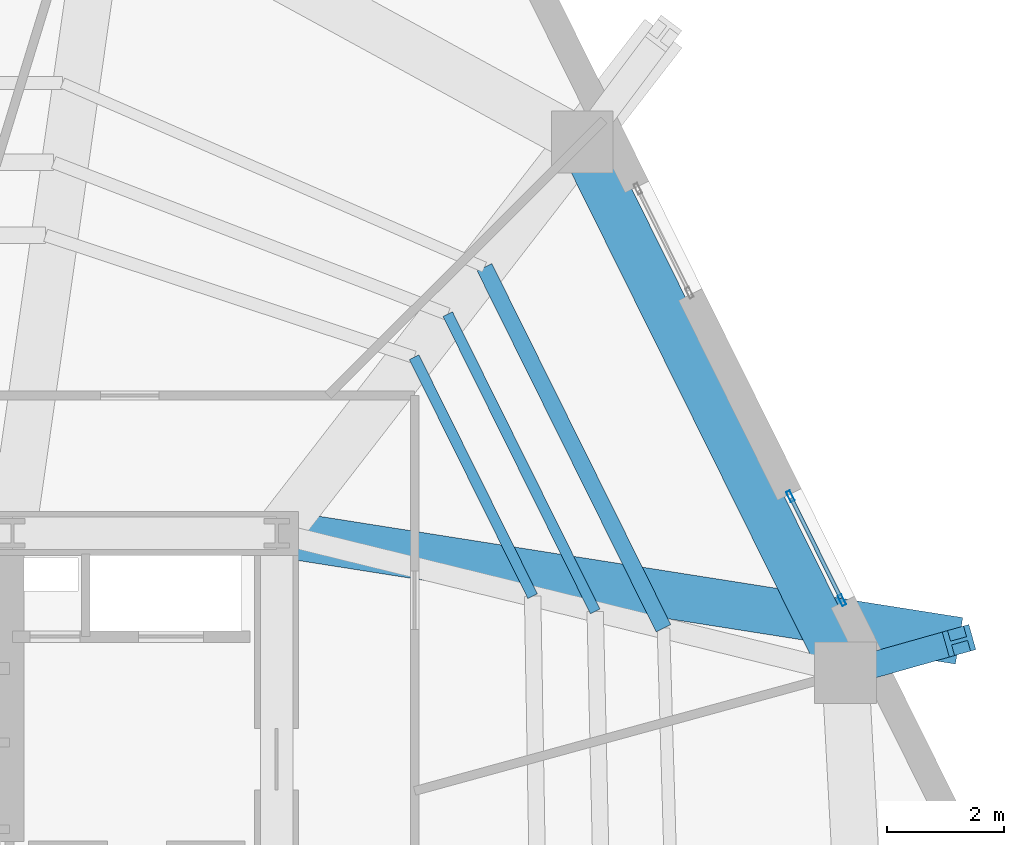
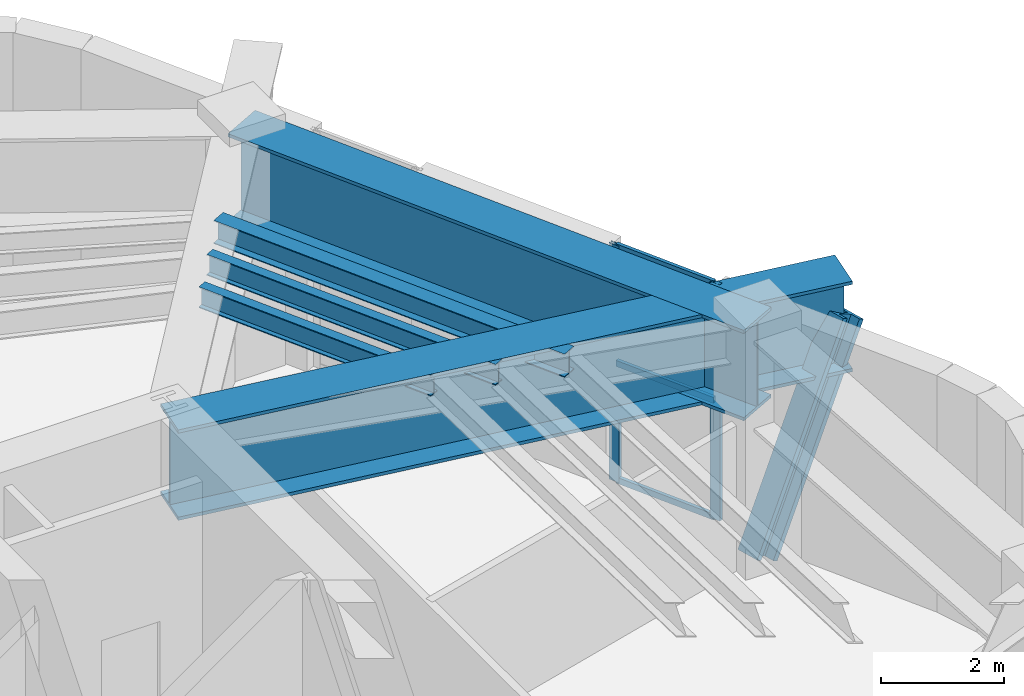
# One storey, part 8 of 18: 6 members, 5 beams, 1 element without a shape of its own.
"""IFC4 building model written with IfcOpenShell, lengths in metres."""

from ifc_helpers import new_model, si_unit, direction, frame, origin, origin_2d, place, context, subcontext, project, spatial, hollow_rectangle, i_section, extrude, material, layer, layer_set, material_profile, profile_set, type_object, element, aggregate, save


model = new_model("IFC4")

# Units and contexts
model_context = context("Model", 3, precision=1e-05, world=origin(), true_north=direction((0.0, 1.0)))
body_context = subcontext(model_context, "Body", "Model", "MODEL_VIEW")
ifc_project = project(units=[si_unit("LENGTHUNIT", "METRE"), si_unit("AREAUNIT", "SQUARE_METRE"), si_unit("VOLUMEUNIT", "CUBIC_METRE"), si_unit("PLANEANGLEUNIT", "RADIAN"), si_unit("MASSUNIT", "GRAM", prefix="KILO")], contexts=[model_context])

# Site, building, storey
site_placement = place(None, origin())
site = spatial("IfcSite", under=ifc_project, at=site_placement, CompositionType="ELEMENT")
building_placement = place(site_placement, origin())
building = spatial("IfcBuilding", under=site, at=building_placement, Name="Kilnhurst Terrace Hotel", CompositionType="ELEMENT")
storey_placement = place(building_placement, frame((0.0, 0.0, 201.5)))
storey = spatial("IfcBuildingStorey", under=building, at=storey_placement, Name="L50", CompositionType="ELEMENT", Elevation=201.5)

# Beams
ifc_material_1 = material(Name="Steel ASTM A992 Grade 50", Category="steel")
ifc_material_profile_1 = material_profile(ifc_material_1, i_section(OverallWidth=0.180908203125, OverallDepth=0.417236328125, WebThickness=0.010986328125, FlangeThickness=0.018310546875, at=origin_2d()), Name="W16X57")
ifc_profile_set_1 = profile_set([ifc_material_profile_1], Name="Steel ASTM A992 Grade 50")
beam_type_1 = type_object("IfcBeamType", Name="JST-STL-W16X57", PredefinedType="JOIST", material=ifc_profile_set_1)
beam_1_placement = place(storey_placement, frame((13.359130859375, 6.430908203125, 4.490966796875), z_axis=(-0.444200626094, 0.895927342912, 0.0), x_axis=(-0.895927342912, -0.444200626094, 0.0)))
element("IfcBeam", 1, at=beam_1_placement, inside=storey, type_object=beam_type_1, Name="L50 Secondary Floor Steel Joist IN.5", PredefinedType="JOIST", context=body_context, shape_type="SweptSolid", body=[
    extrude(i_section(OverallWidth=0.180908203125, OverallDepth=0.417236328125, WebThickness=0.010986328125, FlangeThickness=0.018310546875, at=origin_2d()), origin(), (0.0, 0.0, 1.0), 4.54150390625),
])
beam_2_placement = place(storey_placement, frame((14.4248046875, 6.16943359375, 4.490966796875), z_axis=(-0.444204491744, 0.895925426313, 0.0), x_axis=(-0.895925426313, -0.444204491744, 0.0)))
element("IfcBeam", 2, at=beam_2_placement, inside=storey, type_object=beam_type_1, Name="L50 Secondary Floor Steel Joist MID.5", PredefinedType="JOIST", context=body_context, shape_type="SweptSolid", body=[
    extrude(i_section(OverallWidth=0.180908203125, OverallDepth=0.417236328125, WebThickness=0.010986328125, FlangeThickness=0.018310546875, at=origin_2d()), origin(), (0.0, 0.0, 1.0), 5.651611328125),
])
ifc_material_profile_2 = material_profile(ifc_material_1, i_section(OverallWidth=0.279296875, OverallDepth=0.462890625, WebThickness=0.0107421875, FlangeThickness=0.017333984375, at=origin_2d()), Name="W18X76")
ifc_profile_set_2 = profile_set([ifc_material_profile_2], Name="Steel ASTM A992 Grade 50")
beam_type_2 = type_object("IfcBeamType", Name="JST-STL-W18X76", PredefinedType="JOIST", material=ifc_profile_set_2)
beam_3_placement = place(storey_placement, frame((15.587158203125, 5.88427734375, 4.468017578125), z_axis=(-0.444180101574, 0.895937518673, 0.0), x_axis=(-0.895937518673, -0.444180101574, 0.0)))
element("IfcBeam", 3, at=beam_3_placement, inside=storey, type_object=beam_type_2, Name="L50 Secondary Floor Steel Joist OUT.5", PredefinedType="JOIST", context=body_context, shape_type="SweptSolid", body=[
    extrude(i_section(OverallWidth=0.279296875, OverallDepth=0.462890625, WebThickness=0.0107421875, FlangeThickness=0.017333984375, at=origin_2d()), origin(), (0.0, 0.0, 1.0), 6.86279296875),
])

# Curtain wall, members
ifc_material_2 = material(Name="Anodized Aluminium Alloy 6063-T6 and Low-E Glass", Category="aluminium")
ifc_layer = layer(ifc_material_2, 0.219970703125, Name="Anodized Aluminium Alloy 6063-T6 and Low-E Glass")
ifc_layer_set = layer_set([ifc_layer], Name="Anodized Aluminium Alloy 6063-T6 and Low-E Glass")
curtain_wall_type = type_object("IfcCurtainWallType", Name="CW-SPA-L50", PredefinedType="NOTDEFINED", material=ifc_layer_set)
curtain_wall_placement = place(storey_placement, origin())
curtain_wall = element("IfcCurtainWall", 4, at=curtain_wall_placement, inside=storey, type_object=curtain_wall_type, Name="L50 Curtain Wall CW-L50-F3-1", PredefinedType="NOTDEFINED")
ifc_material_3 = material(Name="Extruded Aluminium Alloy 6063-T6", Category="aluminium")
ifc_material_profile_3 = material_profile(ifc_material_3, hollow_rectangle(XDim=0.070068359375, YDim=0.18994140625, WallThickness=0.00390625, at=origin_2d()), Name="CWM70X190")
ifc_profile_set_3 = profile_set([ifc_material_profile_3], Name="Extruded Aluminium Alloy 6063-T6")
member_type_1 = type_object("IfcMemberType", Name="MEM-CWM70X190", PredefinedType="MULLION", material=ifc_profile_set_3)
member_1_placement = place(storey_placement, frame((18.62646484375, 6.361328125, 0.0), z_axis=(0.0, 0.0, 1.0), x_axis=(-0.895908102999, -0.444239429791, 0.0)))
member_1 = element("IfcMember", 5, at=member_1_placement, type_object=member_type_1, Name="CWA-4 mullion 1", PredefinedType="MULLION", context=body_context, shape_type="SweptSolid", body=[
    extrude(hollow_rectangle(XDim=0.070068359375, YDim=0.18994140625, WallThickness=0.00390625, at=origin_2d()), origin(), (0.0, 0.0, 1.0), 4.699951171875),
])
member_2_placement = place(storey_placement, frame((17.74853515625, 8.131591796875, 0.0), z_axis=(0.0, 0.0, 1.0), x_axis=(-0.895908102999, -0.444239429791, 0.0)))
member_2 = element("IfcMember", 6, at=member_2_placement, type_object=member_type_1, Name="CWA-4 mullion 2", PredefinedType="MULLION", context=body_context, shape_type="SweptSolid", body=[
    extrude(hollow_rectangle(XDim=0.070068359375, YDim=0.18994140625, WallThickness=0.00390625, at=origin_2d()), origin(), (0.0, 0.0, 1.0), 4.699951171875),
])
ifc_material_profile_4 = material_profile(ifc_material_3, hollow_rectangle(XDim=0.06494140625, YDim=0.1201171875, WallThickness=0.00341796875, at=origin_2d()), Name="CWT65X120")
ifc_profile_set_4 = profile_set([ifc_material_profile_4], Name="Extruded Aluminium Alloy 6063-T6")
member_type_2 = type_object("IfcMemberType", Name="MEM-CWT65X120", PredefinedType="USERDEFINED", material=ifc_profile_set_4)
member_3_placement = place(storey_placement, frame((18.61083984375, 6.392822265625, 0.032470703125), z_axis=(-0.444239283955, 0.895908175312, 0.0), x_axis=(-0.895908175312, -0.444239283955, 0.0)))
member_3 = element("IfcMember", 7, at=member_3_placement, type_object=member_type_2, Name="CWA-4 transom 1.1", ObjectType="TRANSOM", PredefinedType="USERDEFINED", context=body_context, shape_type="SweptSolid", body=[
    extrude(hollow_rectangle(XDim=0.06494140625, YDim=0.1201171875, WallThickness=0.00341796875, at=origin_2d()), origin(), (0.0, 0.0, 1.0), 1.906005859375),
])
member_4_placement = place(storey_placement, frame((18.61083984375, 6.392822265625, 2.35009765625), z_axis=(-0.444239283955, 0.895908175312, 0.0), x_axis=(-0.895908175312, -0.444239283955, 0.0)))
member_4 = element("IfcMember", 8, at=member_4_placement, type_object=member_type_2, Name="CWA-4 transom 1.2", ObjectType="TRANSOM", PredefinedType="USERDEFINED", context=body_context, shape_type="SweptSolid", body=[
    extrude(hollow_rectangle(XDim=0.06494140625, YDim=0.1201171875, WallThickness=0.00341796875, at=origin_2d()), origin(), (0.0, 0.0, 1.0), 1.906005859375),
])
member_5_placement = place(storey_placement, frame((18.61083984375, 6.392822265625, 4.66748046875), z_axis=(-0.444239283955, 0.895908175312, 0.0), x_axis=(-0.895908175312, -0.444239283955, 0.0)))
member_5 = element("IfcMember", 9, at=member_5_placement, type_object=member_type_2, Name="CWA-4 transom 1.3", ObjectType="TRANSOM", PredefinedType="USERDEFINED", context=body_context, shape_type="SweptSolid", body=[
    extrude(hollow_rectangle(XDim=0.06494140625, YDim=0.1201171875, WallThickness=0.00341796875, at=origin_2d()), origin(), (0.0, 0.0, 1.0), 1.906005859375),
])
aggregate(curtain_wall, [member_1, member_2, member_3, member_4, member_5])

# Member
ifc_material_profile_5 = material_profile(ifc_material_1, i_section(OverallWidth=0.44189453125, OverallDepth=0.531494140625, WebThickness=0.06591796875, FlangeThickness=0.105712890625, at=origin_2d()), Name="W14X605")
ifc_profile_set_5 = profile_set([ifc_material_profile_5], Name="Steel ASTM A992 Grade 50")
member_type_3 = type_object("IfcMemberType", Name="MEM-OTR-DIAG-605", PredefinedType="BRACE", material=ifc_profile_set_5)
member_6_placement = place(storey_placement, frame((18.68701171875, 5.1240234375, 0.0), z_axis=(0.450100929166, 0.126977753926, 0.88390372981), x_axis=(-0.271512078247, 0.962435032283, 0.0)))
element("IfcMember", 10, at=member_6_placement, inside=storey, type_object=member_type_3, Name="L50 Waist Flare Inclined Column Strut 5", PredefinedType="BRACE", context=body_context, shape_type="SweptSolid", body=[
    extrude(i_section(OverallWidth=0.44189453125, OverallDepth=0.531494140625, WebThickness=0.06591796875, FlangeThickness=0.105712890625, at=origin_2d()), origin(), (0.0, 0.0, 1.0), 4.299072265625),
])

# Beams
ifc_material_4 = material(Name="Steel ASTM A572 Grade 50", Category="steel")
ifc_material_profile_6 = material_profile(ifc_material_4, i_section(OverallWidth=0.800048828125, OverallDepth=1.800048828125, WebThickness=0.0400390625, FlangeThickness=0.06494140625, at=origin_2d()), Name="PG1800X800")
ifc_profile_set_6 = profile_set([ifc_material_profile_6], Name="Steel ASTM A572 Grade 50")
beam_type_3 = type_object("IfcBeamType", Name="TG-STEP-1800", PredefinedType="USERDEFINED", material=ifc_profile_set_6)
beam_4_placement = place(storey_placement, frame((18.68701171875, 5.1240234375, 3.800048828125), z_axis=(-0.444192032261, 0.895931603682, 0.0), x_axis=(-0.895931603682, -0.444192032261, 0.0)))
element("IfcBeam", 11, at=beam_4_placement, inside=storey, type_object=beam_type_3, Name="L50 Zone Step Perimeter Transfer Girder 5", ObjectType="GIRDER", PredefinedType="USERDEFINED", context=body_context, shape_type="SweptSolid", body=[
    extrude(i_section(OverallWidth=0.800048828125, OverallDepth=1.800048828125, WebThickness=0.0400390625, FlangeThickness=0.06494140625, at=origin_2d()), origin(), (0.0, 0.0, 1.0), 10.09228515625),
])
beam_5_placement = place(storey_placement, frame((9.0, 7.5, 3.800048828125), z_axis=(0.987828160163, -0.155549111179, 0.0), x_axis=(0.155549111179, 0.987828160163, 0.0)))
element("IfcBeam", 12, at=beam_5_placement, inside=storey, type_object=beam_type_3, Name="L50 Zone Flare Radial Transfer Girder 5", ObjectType="GIRDER", PredefinedType="USERDEFINED", context=body_context, shape_type="SweptSolid", body=[
    extrude(i_section(OverallWidth=0.800048828125, OverallDepth=1.800048828125, WebThickness=0.0400390625, FlangeThickness=0.06494140625, at=origin_2d()), origin(), (0.0, 0.0, 1.0), 11.765380859375),
])

save(model, "model.ifc")
